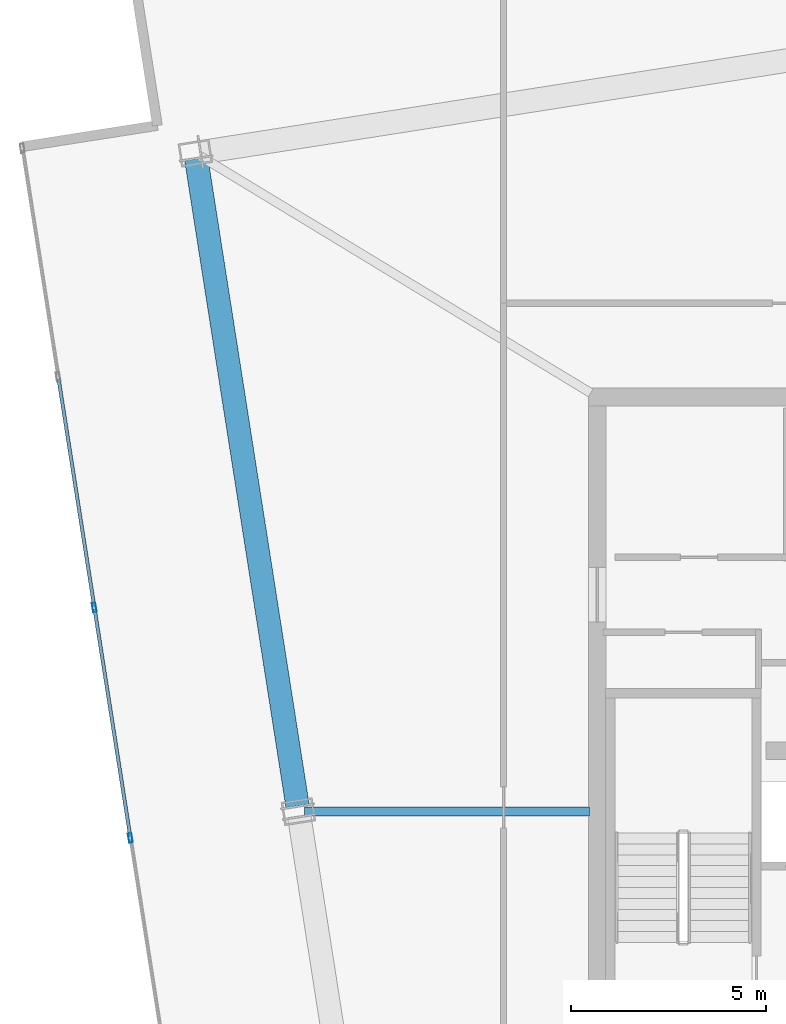
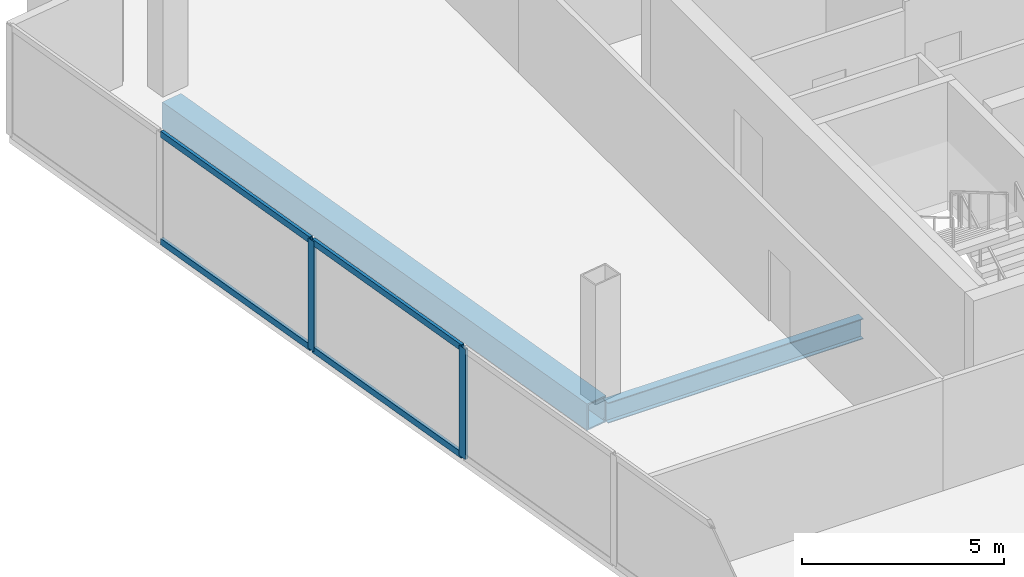
# One storey, part 5 of 17: 6 members, 2 beams, 1 element without a shape of its own.
"""IFC4 building model written with IfcOpenShell, lengths in metres."""

from ifc_helpers import new_model, si_unit, direction, frame, origin, origin_2d, place, context, subcontext, project, spatial, hollow_rectangle, i_section, extrude, material, material_profile, profile_set, type_object, element, aggregate, save


model = new_model("IFC4")

# Units and contexts
model_context = context("Model", 3, precision=1e-05, world=origin(), true_north=direction((0.0, 1.0)))
body_context = subcontext(model_context, "Body", "Model", "MODEL_VIEW")
ifc_project = project(units=[si_unit("LENGTHUNIT", "METRE"), si_unit("AREAUNIT", "SQUARE_METRE"), si_unit("VOLUMEUNIT", "CUBIC_METRE"), si_unit("PLANEANGLEUNIT", "RADIAN"), si_unit("MASSUNIT", "GRAM", prefix="KILO")], contexts=[model_context])

# Site, building, storey
site_placement = place(None, origin())
site = spatial("IfcSite", under=ifc_project, at=site_placement, CompositionType="ELEMENT")
building_placement = place(site_placement, origin())
building = spatial("IfcBuilding", under=site, at=building_placement, Name="Haldenkirk Collegiate Tower", CompositionType="ELEMENT")
storey_placement = place(building_placement, frame((0.0, 0.0, 364.199951171875)))
storey = spatial("IfcBuildingStorey", under=building, at=storey_placement, Name="L92", CompositionType="ELEMENT", Elevation=364.199951171875)

# Beams
ifc_material_1 = material(Name="Steel ASTM A992 Grade 50", Category="steel")
ifc_material_profile_1 = material_profile(ifc_material_1, i_section(OverallWidth=0.22998046875, OverallDepth=0.616943359375, WebThickness=0.01318359375, FlangeThickness=0.022216796875, at=origin_2d()), Name="W24X94")
ifc_profile_set_1 = profile_set([ifc_material_profile_1], Name="Steel ASTM A992 Grade 50")
beam_type_1 = type_object("IfcBeamType", Name="BM-GIRDER-W24X94", PredefinedType="BEAM", material=ifc_profile_set_1)
beam_1_placement = place(storey_placement, frame((19.5029296875, 23.39306640625, -0.578369140625), z_axis=(1.0, 0.0, 0.0), x_axis=(0.0, 1.0, 0.0)))
element("IfcBeam", 1, at=beam_1_placement, inside=storey, type_object=beam_type_1, Name="L92 crown radial floor beam 6", PredefinedType="BEAM", context=body_context, shape_type="SweptSolid", body=[
    extrude(i_section(OverallWidth=0.22998046875, OverallDepth=0.616943359375, WebThickness=0.01318359375, FlangeThickness=0.022216796875, at=origin_2d()), origin(), (0.0, 0.0, 1.0), 7.297119140625),
])
ifc_material_2 = material(Name="Steel ASTM A572 Grade 50", Category="steel")
ifc_material_profile_2 = material_profile(ifc_material_2, hollow_rectangle(XDim=0.60009765625, YDim=0.800048828125, WallThickness=0.0400390625, at=origin_2d()), Name="BOX800X600X40")
ifc_profile_set_2 = profile_set([ifc_material_profile_2], Name="Steel ASTM A572 Grade 50")
beam_type_2 = type_object("IfcBeamType", Name="BM-SPANDREL-BOX800X600X40", PredefinedType="SPANDREL", material=ifc_profile_set_2)
beam_2_placement = place(storey_placement, frame((16.73828125, 40.089599609375, -0.669921875), z_axis=(0.154705009471, -0.987960707743, 0.0), x_axis=(0.987960707743, 0.154705009471, 0.0)))
element("IfcBeam", 2, at=beam_2_placement, inside=storey, type_object=beam_type_2, Name="L92 Crown Ring Frame perimeter girder 5", PredefinedType="SPANDREL", context=body_context, shape_type="SweptSolid", body=[
    extrude(hollow_rectangle(XDim=0.60009765625, YDim=0.800048828125, WallThickness=0.0400390625, at=origin_2d()), origin(), (0.0, 0.0, 1.0), 16.75),
])

# Curtain wall, members
ifc_material_3 = material(Name="Anodised architectural bronze aluminium", Category="aluminium")
curtain_wall_type = type_object("IfcCurtainWallType", Name="CW-SYS6-CROWN", PredefinedType="USERDEFINED", material=ifc_material_3)
curtain_wall_placement = place(storey_placement, origin())
curtain_wall = element("IfcCurtainWall", 3, at=curtain_wall_placement, inside=storey, type_object=curtain_wall_type, Name="L92 Closed crown ring ceramic-fritted bronze screen curtain wall", ObjectType="UNITISED CURTAIN WALL", PredefinedType="USERDEFINED")
ifc_material_profile_3 = material_profile(ifc_material_3, hollow_rectangle(XDim=0.090087890625, YDim=0.239990234375, WallThickness=0.0048828125, at=origin_2d()), Name="CW-MUL-06")
ifc_profile_set_3 = profile_set([ifc_material_profile_3], Name="Anodised architectural bronze aluminium")
member_type_1 = type_object("IfcMemberType", Name="CW-MUL-06", PredefinedType="MULLION", material=ifc_profile_set_3)
member_1_placement = place(storey_placement, frame((15.05517578125, 22.72021484375, 0.0), z_axis=(0.0, 0.0, 1.0), x_axis=(-0.987959532462, -0.154712514742, 0.0)))
member_1 = element("IfcMember", 4, at=member_1_placement, type_object=member_type_1, Name="CW-06 mullion 4", PredefinedType="MULLION", context=body_context, shape_type="SweptSolid", body=[
    extrude(hollow_rectangle(XDim=0.090087890625, YDim=0.239990234375, WallThickness=0.0048828125, at=origin_2d()), origin(), (0.0, 0.0, 1.0), 3.330078125),
])
member_2_placement = place(storey_placement, frame((14.132080078125, 28.614990234375, 0.0), z_axis=(0.0, 0.0, 1.0), x_axis=(-0.987959532462, -0.154712514742, 0.0)))
member_2 = element("IfcMember", 5, at=member_2_placement, type_object=member_type_1, Name="CW-06 mullion 5", PredefinedType="MULLION", context=body_context, shape_type="SweptSolid", body=[
    extrude(hollow_rectangle(XDim=0.090087890625, YDim=0.239990234375, WallThickness=0.0048828125, at=origin_2d()), origin(), (0.0, 0.0, 1.0), 3.330078125),
])
ifc_material_profile_4 = material_profile(ifc_material_3, hollow_rectangle(XDim=0.090087890625, YDim=0.18994140625, WallThickness=0.0048828125, at=origin_2d()), Name="CW-TRN-06")
ifc_profile_set_4 = profile_set([ifc_material_profile_4], Name="Anodised architectural bronze aluminium")
member_type_2 = type_object("IfcMemberType", Name="CW-TRN-06", PredefinedType="USERDEFINED", material=ifc_profile_set_4)
member_3_placement = place(storey_placement, frame((15.04833984375, 22.7646484375, 0.045166015625), z_axis=(-0.154710174658, 0.987959898912, 0.0), x_axis=(-0.987959898912, -0.154710174658, 0.0)))
member_3 = element("IfcMember", 6, at=member_3_placement, type_object=member_type_2, Name="CW-06 transom 4.1", ObjectType="TRANSOM", PredefinedType="USERDEFINED", context=body_context, shape_type="SweptSolid", body=[
    extrude(hollow_rectangle(XDim=0.090087890625, YDim=0.18994140625, WallThickness=0.0048828125, at=origin_2d()), origin(), (0.0, 0.0, 1.0), 5.876708984375),
])
member_4_placement = place(storey_placement, frame((15.04833984375, 22.7646484375, 3.28515625), z_axis=(-0.154710174658, 0.987959898912, 0.0), x_axis=(-0.987959898912, -0.154710174658, 0.0)))
member_4 = element("IfcMember", 7, at=member_4_placement, type_object=member_type_2, Name="CW-06 transom 4.2", ObjectType="TRANSOM", PredefinedType="USERDEFINED", context=body_context, shape_type="SweptSolid", body=[
    extrude(hollow_rectangle(XDim=0.090087890625, YDim=0.18994140625, WallThickness=0.0048828125, at=origin_2d()), origin(), (0.0, 0.0, 1.0), 5.876708984375),
])
member_5_placement = place(storey_placement, frame((14.125244140625, 28.659423828125, 0.045166015625), z_axis=(-0.154710174658, 0.987959898912, 0.0), x_axis=(-0.987959898912, -0.154710174658, 0.0)))
member_5 = element("IfcMember", 8, at=member_5_placement, type_object=member_type_2, Name="CW-06 transom 5.1", ObjectType="TRANSOM", PredefinedType="USERDEFINED", context=body_context, shape_type="SweptSolid", body=[
    extrude(hollow_rectangle(XDim=0.090087890625, YDim=0.18994140625, WallThickness=0.0048828125, at=origin_2d()), origin(), (0.0, 0.0, 1.0), 5.876708984375),
])
member_6_placement = place(storey_placement, frame((14.125244140625, 28.659423828125, 3.28515625), z_axis=(-0.154710174658, 0.987959898912, 0.0), x_axis=(-0.987959898912, -0.154710174658, 0.0)))
member_6 = element("IfcMember", 9, at=member_6_placement, type_object=member_type_2, Name="CW-06 transom 5.2", ObjectType="TRANSOM", PredefinedType="USERDEFINED", context=body_context, shape_type="SweptSolid", body=[
    extrude(hollow_rectangle(XDim=0.090087890625, YDim=0.18994140625, WallThickness=0.0048828125, at=origin_2d()), origin(), (0.0, 0.0, 1.0), 5.876708984375),
])
aggregate(curtain_wall, [member_1, member_2, member_3, member_4, member_5, member_6])

save(model, "model.ifc")
